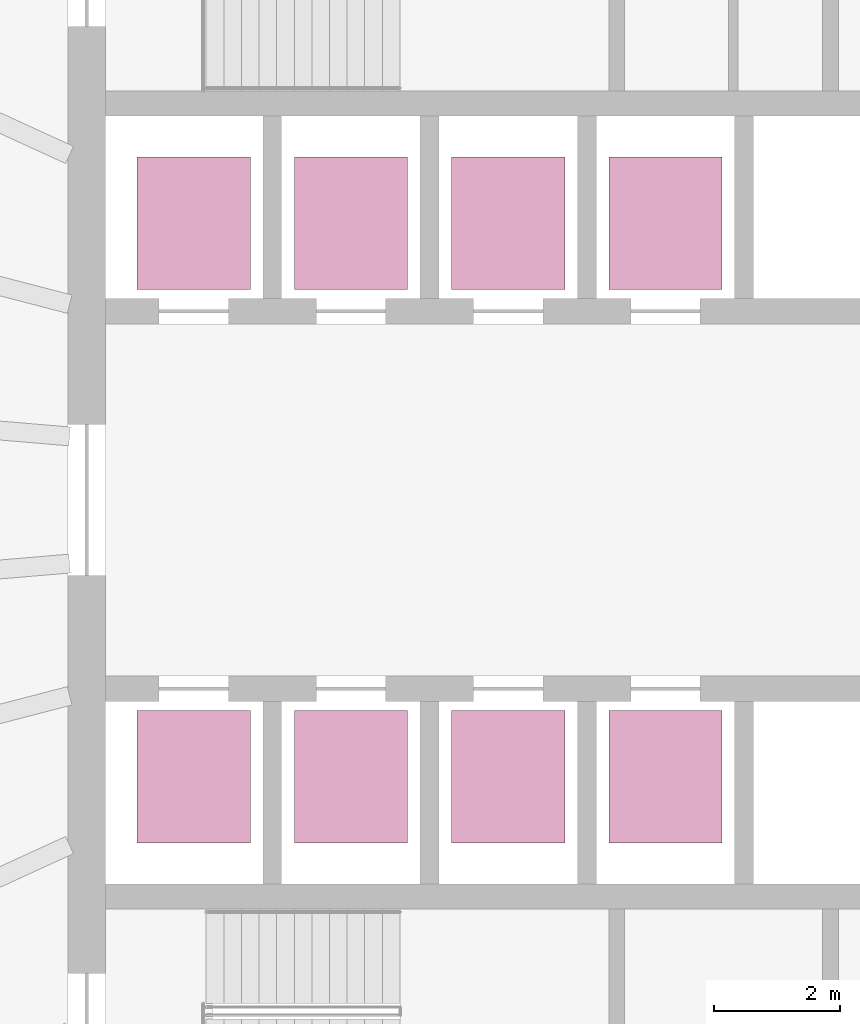
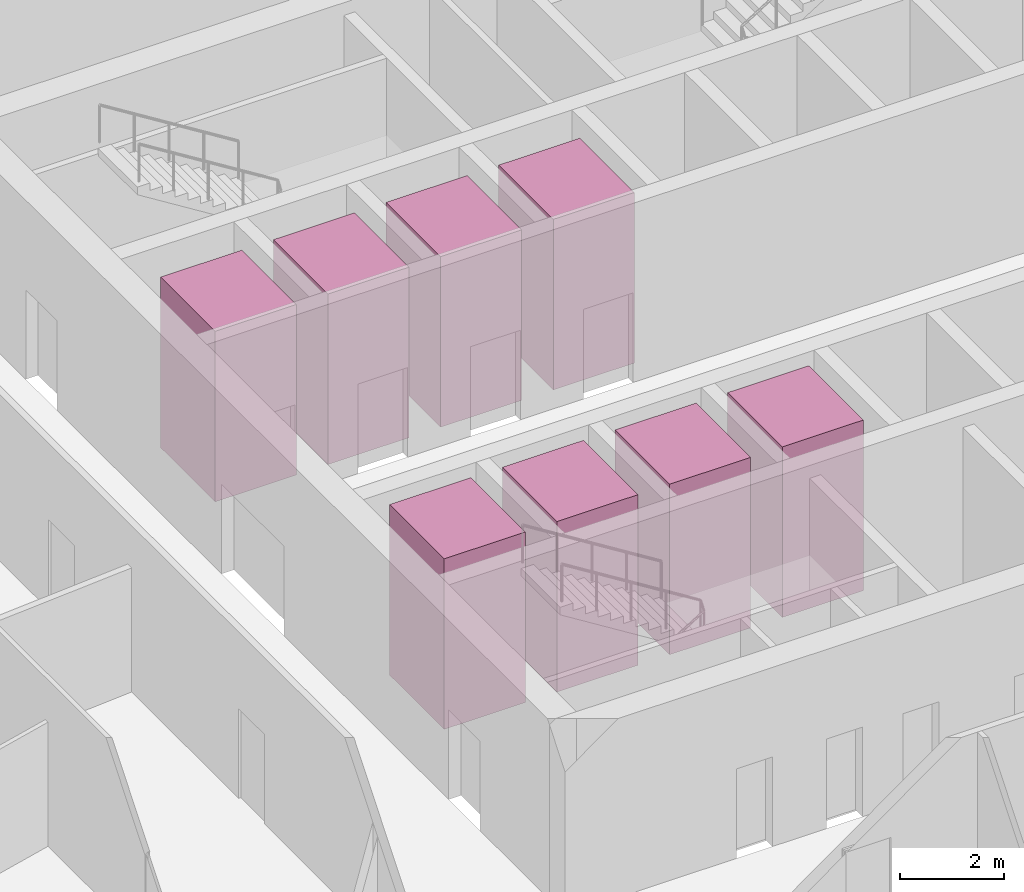
# One storey, part 11 of 11: 8 transport elements.
"""IFC4 building model written with IfcOpenShell, lengths in metres."""

from ifc_helpers import new_model, si_unit, direction, frame, origin, origin_2d, place, context, subcontext, project, spatial, rectangle, extrude, material, type_object, element, save


model = new_model("IFC4")

# Units and contexts
model_context = context("Model", 3, precision=1e-05, world=origin(), true_north=direction((0.0, 1.0)))
body_context = subcontext(model_context, "Body", "Model", "MODEL_VIEW")
ifc_project = project(units=[si_unit("LENGTHUNIT", "METRE"), si_unit("AREAUNIT", "SQUARE_METRE"), si_unit("VOLUMEUNIT", "CUBIC_METRE"), si_unit("PLANEANGLEUNIT", "RADIAN"), si_unit("MASSUNIT", "GRAM", prefix="KILO")], contexts=[model_context])

# Site, building, storey
site_placement = place(None, origin())
site = spatial("IfcSite", under=ifc_project, at=site_placement, CompositionType="ELEMENT")
building_placement = place(site_placement, origin())
building = spatial("IfcBuilding", under=site, at=building_placement, Name="Halqa Exchange Tower", CompositionType="ELEMENT")
storey_placement = place(building_placement, frame((0.0, 0.0, 146.5)))
storey = spatial("IfcBuildingStorey", under=building, at=storey_placement, Name="L33", CompositionType="ELEMENT", Elevation=146.5)

# Transport elements
ifc_material = material(Name="Stainless steel", Category="steel")
transport_element_type = type_object("IfcTransportElementType", Name="Low-rise passenger lift 1800 x 2100", PredefinedType="ELEVATOR", material=ifc_material)
for number, where, z_axis, x_axis, name in (
    (1, (-10.0, 4.39990234375, 0.0), (0.0, 0.0, 1.0), (1.0, 0.0, 0.0), "Low-rise passenger lift LR1"),
    (2, (-7.5, 4.39990234375, 0.0), (0.0, 0.0, 1.0), (1.0, 0.0, 0.0), "Low-rise passenger lift LR2"),
    (3, (-5.0, 4.39990234375, 0.0), (0.0, 0.0, 1.0), (1.0, 0.0, 0.0), "Low-rise passenger lift LR3"),
    (4, (-2.5, 4.39990234375, 0.0), (0.0, 0.0, 1.0), (1.0, 0.0, 0.0), "Low-rise passenger lift LR4"),
    (5, (-10.0, -4.39990234375, 0.0), (0.0, 0.0, 1.0), (1.0, 0.0, 0.0), "Low-rise passenger lift LR5"),
    (6, (-7.5, -4.39990234375, 0.0), (0.0, 0.0, 1.0), (1.0, 0.0, 0.0), "Low-rise passenger lift LR6"),
    (7, (-5.0, -4.39990234375, 0.0), (0.0, 0.0, 1.0), (1.0, 0.0, 0.0), "Low-rise passenger lift LR7"),
    (8, (-2.5, -4.39990234375, 0.0), (0.0, 0.0, 1.0), (1.0, 0.0, 0.0), "Low-rise passenger lift LR8"),
):
    element("IfcTransportElement", number, at=place(storey_placement, frame(where, z_axis=z_axis, x_axis=x_axis)), inside=storey, type_object=transport_element_type, Name=name, PredefinedType="ELEVATOR", context=body_context, shape_type="SweptSolid", body=[
        extrude(rectangle(XDim=1.800048828125, YDim=2.10009765625, at=origin_2d()), origin(), (0.0, 0.0, 1.0), 4.0),
    ])

save(model, "model.ifc")
